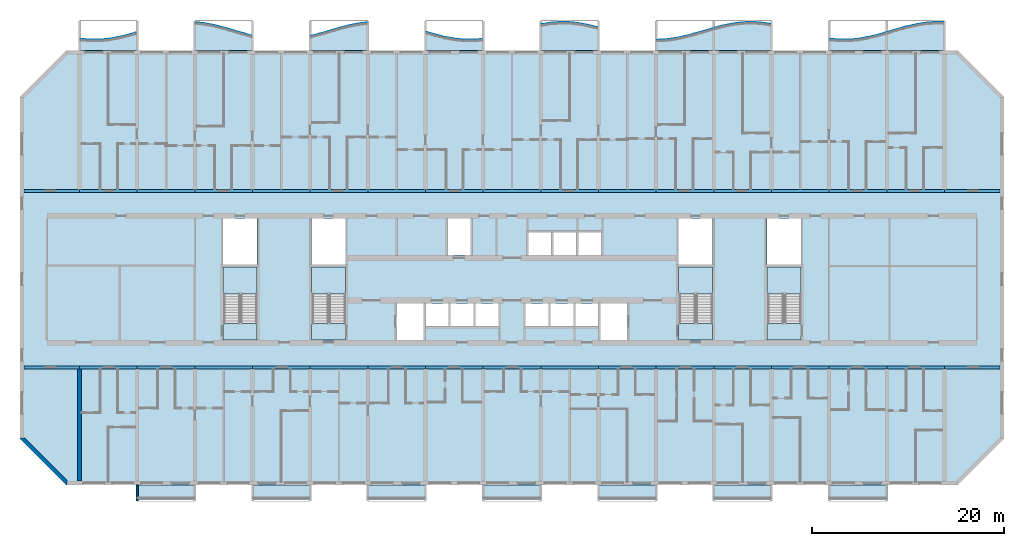
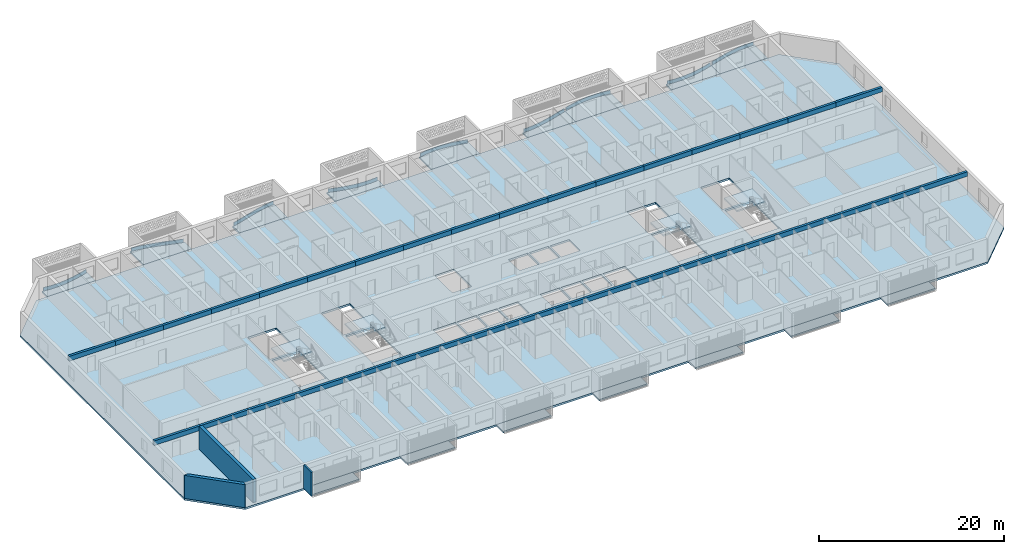
# One storey, part 1 of 38: 34 beams, 25 slabs, 9 plates, 3 walls, 4 elements without a shape of their own.
"""IFC4 building model written with IfcOpenShell, lengths in metres."""

from ifc_helpers import new_model, si_unit, direction, frame, frame_2d, origin, origin_2d, place, context, subcontext, project, spatial, polyline, rectangle, outline, extrude, source, transform, mapped, material, layer, layer_set, material_profile, profile_set, type_object, element, aggregate, save


model = new_model("IFC4")

# Units and contexts
model_context = context("Model", 3, precision=1e-05, world=origin(), true_north=direction((0.0, 1.0)))
body_context = subcontext(model_context, "Body", "Model", "MODEL_VIEW")
ifc_project = project(units=[si_unit("LENGTHUNIT", "METRE"), si_unit("AREAUNIT", "SQUARE_METRE"), si_unit("VOLUMEUNIT", "CUBIC_METRE"), si_unit("PLANEANGLEUNIT", "RADIAN"), si_unit("MASSUNIT", "GRAM", prefix="KILO")], contexts=[model_context])

# Site, building, storey
site_placement = place(None, origin())
site = spatial("IfcSite", under=ifc_project, at=site_placement, CompositionType="ELEMENT")
building_placement = place(site_placement, origin())
building = spatial("IfcBuilding", under=site, at=building_placement, Name="Poui Terraces", CompositionType="ELEMENT")
storey_placement = place(building_placement, frame((0.0, 0.0, 46.5)))
storey = spatial("IfcBuildingStorey", under=building, at=storey_placement, Name="L12", CompositionType="ELEMENT", Elevation=46.5)

# Beams
ifc_material_1 = material(Name="Concrete 80 MPa", Category="concrete")
ifc_material_profile = material_profile(ifc_material_1, rectangle(XDim=0.300048828125, YDim=0.60009765625, at=origin_2d()), Name="RC 300x600")
ifc_profile_set = profile_set([ifc_material_profile], Name="Concrete 80 MPa")
beam_type = type_object("IfcBeamType", Name="COUPLING BEAM 300x600 80MPa", PredefinedType="BEAM", material=ifc_profile_set)
shared_shape_1 = source(origin(), body_context, "Body", "SweptSolid", [
    extrude(rectangle(XDim=0.300048828125, YDim=0.60009765625, at=origin_2d()), origin(), (0.0, 0.0, 1.0), 6.0),
])
for number, where, z_axis, x_axis, name in (
    (1, (6.0, 12.0, 2.75), (1.0, 0.0, 0.0), (0.0, 1.0, 0.0), "COUPLING BEAM LINE B BAY 2"),
    (2, (12.0, 12.0, 2.75), (1.0, 0.0, 0.0), (0.0, 1.0, 0.0), "COUPLING BEAM LINE B BAY 3"),
    (3, (18.0, 12.0, 2.75), (1.0, 0.0, 0.0), (0.0, 1.0, 0.0), "COUPLING BEAM LINE B BAY 4"),
    (4, (24.0, 12.0, 2.75), (1.0, 0.0, 0.0), (0.0, 1.0, 0.0), "COUPLING BEAM LINE B BAY 5"),
    (5, (30.0, 12.0, 2.75), (1.0, 0.0, 0.0), (0.0, 1.0, 0.0), "COUPLING BEAM LINE B BAY 6"),
    (6, (36.0, 12.0, 2.75), (1.0, 0.0, 0.0), (0.0, 1.0, 0.0), "COUPLING BEAM LINE B BAY 7"),
    (7, (42.0, 12.0, 2.75), (1.0, 0.0, 0.0), (0.0, 1.0, 0.0), "COUPLING BEAM LINE B BAY 8"),
    (8, (48.0, 12.0, 2.75), (1.0, 0.0, 0.0), (0.0, 1.0, 0.0), "COUPLING BEAM LINE B BAY 9"),
    (9, (54.0, 12.0, 2.75), (1.0, 0.0, 0.0), (0.0, 1.0, 0.0), "COUPLING BEAM LINE B BAY 10"),
    (10, (60.0, 12.0, 2.75), (1.0, 0.0, 0.0), (0.0, 1.0, 0.0), "COUPLING BEAM LINE B BAY 11"),
    (11, (66.0, 12.0, 2.75), (1.0, 0.0, 0.0), (0.0, 1.0, 0.0), "COUPLING BEAM LINE B BAY 12"),
    (12, (72.0, 12.0, 2.75), (1.0, 0.0, 0.0), (0.0, 1.0, 0.0), "COUPLING BEAM LINE B BAY 13"),
    (13, (78.0, 12.0, 2.75), (1.0, 0.0, 0.0), (0.0, 1.0, 0.0), "COUPLING BEAM LINE B BAY 14"),
    (14, (84.0, 12.0, 2.75), (1.0, 0.0, 0.0), (0.0, 1.0, 0.0), "COUPLING BEAM LINE B BAY 15"),
    (15, (90.0, 12.0, 2.75), (1.0, 0.0, 0.0), (0.0, 1.0, 0.0), "COUPLING BEAM LINE B BAY 16"),
    (16, (6.0, 30.39990234375, 2.75), (1.0, 0.0, 0.0), (0.0, 1.0, 0.0), "COUPLING BEAM LINE E BAY 2"),
    (17, (12.0, 30.39990234375, 2.75), (1.0, 0.0, 0.0), (0.0, 1.0, 0.0), "COUPLING BEAM LINE E BAY 3"),
    (18, (18.0, 30.39990234375, 2.75), (1.0, 0.0, 0.0), (0.0, 1.0, 0.0), "COUPLING BEAM LINE E BAY 4"),
    (19, (24.0, 30.39990234375, 2.75), (1.0, 0.0, 0.0), (0.0, 1.0, 0.0), "COUPLING BEAM LINE E BAY 5"),
    (20, (30.0, 30.39990234375, 2.75), (1.0, 0.0, 0.0), (0.0, 1.0, 0.0), "COUPLING BEAM LINE E BAY 6"),
    (21, (36.0, 30.39990234375, 2.75), (1.0, 0.0, 0.0), (0.0, 1.0, 0.0), "COUPLING BEAM LINE E BAY 7"),
    (22, (42.0, 30.39990234375, 2.75), (1.0, 0.0, 0.0), (0.0, 1.0, 0.0), "COUPLING BEAM LINE E BAY 8"),
    (23, (48.0, 30.39990234375, 2.75), (1.0, 0.0, 0.0), (0.0, 1.0, 0.0), "COUPLING BEAM LINE E BAY 9"),
    (24, (54.0, 30.39990234375, 2.75), (1.0, 0.0, 0.0), (0.0, 1.0, 0.0), "COUPLING BEAM LINE E BAY 10"),
    (25, (60.0, 30.39990234375, 2.75), (1.0, 0.0, 0.0), (0.0, 1.0, 0.0), "COUPLING BEAM LINE E BAY 11"),
    (26, (66.0, 30.39990234375, 2.75), (1.0, 0.0, 0.0), (0.0, 1.0, 0.0), "COUPLING BEAM LINE E BAY 12"),
    (27, (72.0, 30.39990234375, 2.75), (1.0, 0.0, 0.0), (0.0, 1.0, 0.0), "COUPLING BEAM LINE E BAY 13"),
    (28, (78.0, 30.39990234375, 2.75), (1.0, 0.0, 0.0), (0.0, 1.0, 0.0), "COUPLING BEAM LINE E BAY 14"),
    (29, (84.0, 30.39990234375, 2.75), (1.0, 0.0, 0.0), (0.0, 1.0, 0.0), "COUPLING BEAM LINE E BAY 15"),
    (30, (90.0, 30.39990234375, 2.75), (1.0, 0.0, 0.0), (0.0, 1.0, 0.0), "COUPLING BEAM LINE E BAY 16"),
):
    element("IfcBeam", number, at=place(storey_placement, frame(where, z_axis=z_axis, x_axis=x_axis)), inside=storey, type_object=beam_type, Name=name, PredefinedType="BEAM", context=body_context, shape_type="MappedRepresentation", body=[
        mapped(shared_shape_1, transform((0.0, 0.0, 0.0))),
    ])
shared_shape_2 = source(origin(), body_context, "Body", "SweptSolid", [
    extrude(rectangle(XDim=0.300048828125, YDim=0.60009765625, at=origin_2d()), origin(), (0.0, 0.0, 1.0), 5.800048828125),
])
for number, where, z_axis, x_axis, name in (
    (31, (0.199951171875, 12.0, 2.75), (1.0, 0.0, 0.0), (0.0, 1.0, 0.0), "COUPLING BEAM LINE B BAY 1"),
    (32, (96.0, 12.0, 2.75), (1.0, 0.0, 0.0), (0.0, 1.0, 0.0), "COUPLING BEAM LINE B BAY 17"),
    (33, (0.199951171875, 30.39990234375, 2.75), (1.0, 0.0, 0.0), (0.0, 1.0, 0.0), "COUPLING BEAM LINE E BAY 1"),
    (34, (96.0, 30.39990234375, 2.75), (1.0, 0.0, 0.0), (0.0, 1.0, 0.0), "COUPLING BEAM LINE E BAY 17"),
):
    element("IfcBeam", number, at=place(storey_placement, frame(where, z_axis=z_axis, x_axis=x_axis)), inside=storey, type_object=beam_type, Name=name, PredefinedType="BEAM", context=body_context, shape_type="MappedRepresentation", body=[
        mapped(shared_shape_2, transform((0.0, 0.0, 0.0))),
    ])

# Slabs
ifc_material_2 = material(Name="Precast concrete 40 MPa", Category="concrete")
ifc_layer_1 = layer(ifc_material_2, 0.199951171875)
ifc_layer_set_1 = layer_set([ifc_layer_1], Name="Precast concrete 40 MPa")
slab_type_1 = type_object("IfcSlabType", Name="BALCONY SLAB 200", PredefinedType="FLOOR", material=ifc_layer_set_1)
slab_1_placement = place(storey_placement, frame((0.0, 0.0, -0.2001953125)))
element("IfcSlab", 35, at=slab_1_placement, inside=storey, type_object=slab_type_1, Name="BALCONY SLAB", PredefinedType="FLOOR", context=body_context, shape_type="SweptSolid", body=[
    extrude(outline(polyline([(6.0, 45.0), (12.0, 45.0), (12.0, 46.888916015625), (11.0, 46.606201171875), (10.0, 46.36669921875), (9.0, 46.194580078125), (8.0, 46.1083984375), (7.0, 46.1162109375), (6.0, 46.2177734375), (6.0, 45.0)])), origin(), (0.0, 0.0, 1.0), 0.2001953125),
])
slab_2_placement = place(storey_placement, frame((0.0, 0.0, -0.2001953125)))
element("IfcSlab", 36, at=slab_2_placement, inside=storey, type_object=slab_type_1, Name="BALCONY SLAB", PredefinedType="FLOOR", context=body_context, shape_type="SweptSolid", body=[
    extrude(outline(polyline([(18.0, 45.0), (24.0, 45.0), (24.0, 46.520263671875), (23.0, 46.79150390625), (22.0, 47.0869140625), (21.0, 47.376220703125), (20.0, 47.62890625), (19.0, 47.81982421875), (18.0, 47.9287109375), (18.0, 45.0)])), origin(), (0.0, 0.0, 1.0), 0.2001953125),
])
slab_3_placement = place(storey_placement, frame((0.0, 0.0, -0.2001953125)))
element("IfcSlab", 37, at=slab_3_placement, inside=storey, type_object=slab_type_1, Name="BALCONY SLAB", PredefinedType="FLOOR", context=body_context, shape_type="SweptSolid", body=[
    extrude(outline(polyline([(30.0, 45.0), (36.0, 45.0), (36.0, 47.9169921875), (35.0, 47.793212890625), (34.0, 47.590576171875), (33.0, 47.32958984375), (32.0, 47.037353515625), (31.0, 46.743896484375), (30.0, 46.479248046875), (30.0, 45.0)])), origin(), (0.0, 0.0, 1.0), 0.2001953125),
])
slab_4_placement = place(storey_placement, frame((0.0, 0.0, -0.2001953125)))
element("IfcSlab", 38, at=slab_4_placement, inside=storey, type_object=slab_type_1, Name="BALCONY SLAB", PredefinedType="FLOOR", context=body_context, shape_type="SweptSolid", body=[
    extrude(outline(polyline([(42.0, 45.0), (48.0, 45.0), (48.0, 46.194580078125), (47.0, 46.1083984375), (46.0, 46.1162109375), (45.0, 46.2177734375), (44.0, 46.40234375), (43.0, 46.65087890625), (42.0, 46.938232421875), (42.0, 45.0)])), origin(), (0.0, 0.0, 1.0), 0.2001953125),
])
slab_5_placement = place(storey_placement, frame((0.0, 0.0, -0.2001953125)))
element("IfcSlab", 39, at=slab_5_placement, inside=storey, type_object=slab_type_1, Name="BALCONY SLAB", PredefinedType="FLOOR", context=body_context, shape_type="SweptSolid", body=[
    extrude(outline(polyline([(54.0, 45.0), (60.0, 45.0), (60.0, 47.376220703125), (59.0, 47.62890625), (58.0, 47.81982421875), (57.0, 47.9287109375), (56.0, 47.944580078125), (55.0, 47.865966796875), (54.0, 47.70068359375), (54.0, 45.0)])), origin(), (0.0, 0.0, 1.0), 0.2001953125),
])
slab_6_placement = place(storey_placement, frame((0.0, 0.0, -0.2001953125)))
element("IfcSlab", 40, at=slab_6_placement, inside=storey, type_object=slab_type_1, Name="BALCONY SLAB", PredefinedType="FLOOR", context=body_context, shape_type="SweptSolid", body=[
    extrude(outline(polyline([(66.0, 45.0), (72.0, 45.0), (72.0, 47.32958984375), (71.0, 47.037353515625), (70.0, 46.743896484375), (69.0, 46.479248046875), (68.0, 46.27099609375), (67.0, 46.14013671875), (66.0, 46.100341796875), (66.0, 45.0)])), origin(), (0.0, 0.0, 1.0), 0.2001953125),
])
slab_7_placement = place(storey_placement, frame((0.0, 0.0, -0.2001953125)))
element("IfcSlab", 41, at=slab_7_placement, inside=storey, type_object=slab_type_1, Name="BALCONY SLAB", PredefinedType="FLOOR", context=body_context, shape_type="SweptSolid", body=[
    extrude(outline(polyline([(72.0, 45.0), (78.0, 45.0), (78.0, 47.733642578125), (77.0, 47.885498046875), (76.0, 47.94873046875), (75.0, 47.9169921875), (74.0, 47.793212890625), (73.0, 47.590576171875), (72.0, 47.32958984375), (72.0, 45.0)])), origin(), (0.0, 0.0, 1.0), 0.2001953125),
])
slab_8_placement = place(storey_placement, frame((0.0, 0.0, -0.2001953125)))
element("IfcSlab", 42, at=slab_8_placement, inside=storey, type_object=slab_type_1, Name="BALCONY SLAB", PredefinedType="FLOOR", context=body_context, shape_type="SweptSolid", body=[
    extrude(outline(polyline([(84.0, 45.0), (90.0, 45.0), (90.0, 46.888916015625), (89.0, 46.606201171875), (88.0, 46.36669921875), (87.0, 46.194580078125), (86.0, 46.1083984375), (85.0, 46.1162109375), (84.0, 46.2177734375), (84.0, 45.0)])), origin(), (0.0, 0.0, 1.0), 0.2001953125),
])
slab_9_placement = place(storey_placement, frame((0.0, 0.0, -0.2001953125)))
element("IfcSlab", 43, at=slab_9_placement, inside=storey, type_object=slab_type_1, Name="BALCONY SLAB", PredefinedType="FLOOR", context=body_context, shape_type="SweptSolid", body=[
    extrude(outline(polyline([(90.0, 45.0), (96.0, 45.0), (96.0, 47.9287109375), (95.0, 47.944580078125), (94.0, 47.865966796875), (93.0, 47.70068359375), (92.0, 47.4658203125), (91.0, 47.185546875), (90.0, 46.888916015625), (90.0, 45.0)])), origin(), (0.0, 0.0, 1.0), 0.2001953125),
])

# Stair, slabs
stair_type = type_object("IfcStairType", Name="EXIT STAIR 1650 80 MPA", PredefinedType="HALF_TURN_STAIR", material=ifc_material_1)
stair_1_placement = place(storey_placement, origin())
stair_1 = element("IfcStair", 44, at=stair_1_placement, inside=storey, type_object=stair_type, Name="L12 CORE STAIR EAST", PredefinedType="HALF_TURN_STAIR")
ifc_layer_2 = layer(ifc_material_1, 0.199951171875)
ifc_layer_set_2 = layer_set([ifc_layer_2], Name="Concrete 80 MPa")
slab_type_2 = type_object("IfcSlabType", Name="STAIR LANDING 200 80 MPA", PredefinedType="LANDING", material=ifc_layer_set_2)
slab_10_placement = place(storey_placement, frame((0.0, 0.0, 1.449951171875)))
slab_10 = element("IfcSlab", 45, at=slab_10_placement, type_object=slab_type_2, Name="ST-CE landing 1", PredefinedType="LANDING", context=body_context, shape_type="SweptSolid", body=[
    extrude(outline(polyline([(68.324951171875, 19.679931640625), (71.875, 19.679931640625), (71.875, 22.47509765625), (68.324951171875, 22.47509765625), (68.324951171875, 19.679931640625)])), origin(), (0.0, 0.0, 1.0), 0.199951171875),
])
slab_11_placement = place(storey_placement, frame((0.0, 0.0, -0.2001953125)))
slab_11 = element("IfcSlab", 46, at=slab_11_placement, type_object=slab_type_2, Name="ST-CE landing 2", PredefinedType="LANDING", context=body_context, shape_type="SweptSolid", body=[
    extrude(outline(polyline([(68.324951171875, 14.89990234375), (71.875, 14.89990234375), (71.875, 16.60009765625), (68.324951171875, 16.60009765625), (68.324951171875, 14.89990234375)])), origin(), (0.0, 0.0, 1.0), 0.2001953125),
])
aggregate(stair_1, [slab_10, slab_11])

stair_2_placement = place(storey_placement, origin())
stair_2 = element("IfcStair", 47, at=stair_2_placement, inside=storey, type_object=stair_type, Name="L12 CORE STAIR WEST", PredefinedType="HALF_TURN_STAIR")
slab_12_placement = place(storey_placement, frame((0.0, 0.0, 1.449951171875)))
slab_12 = element("IfcSlab", 48, at=slab_12_placement, type_object=slab_type_2, Name="ST-CW landing 1", PredefinedType="LANDING", context=body_context, shape_type="SweptSolid", body=[
    extrude(outline(polyline([(30.125, 19.679931640625), (33.675048828125, 19.679931640625), (33.675048828125, 22.47509765625), (30.125, 22.47509765625), (30.125, 19.679931640625)])), origin(), (0.0, 0.0, 1.0), 0.199951171875),
])
slab_13_placement = place(storey_placement, frame((0.0, 0.0, -0.2001953125)))
slab_13 = element("IfcSlab", 49, at=slab_13_placement, type_object=slab_type_2, Name="ST-CW landing 2", PredefinedType="LANDING", context=body_context, shape_type="SweptSolid", body=[
    extrude(outline(polyline([(30.125, 14.89990234375), (33.675048828125, 14.89990234375), (33.675048828125, 16.60009765625), (30.125, 16.60009765625), (30.125, 14.89990234375)])), origin(), (0.0, 0.0, 1.0), 0.2001953125),
])
aggregate(stair_2, [slab_12, slab_13])

stair_3_placement = place(storey_placement, origin())
stair_3 = element("IfcStair", 50, at=stair_3_placement, inside=storey, type_object=stair_type, Name="L12 TIP STAIR EAST", PredefinedType="HALF_TURN_STAIR")
slab_14_placement = place(storey_placement, frame((0.0, 0.0, 1.449951171875)))
slab_14 = element("IfcSlab", 51, at=slab_14_placement, type_object=slab_type_2, Name="ST-E landing 1", PredefinedType="LANDING", context=body_context, shape_type="SweptSolid", body=[
    extrude(outline(polyline([(77.52490234375, 19.679931640625), (81.074951171875, 19.679931640625), (81.074951171875, 22.47509765625), (77.52490234375, 22.47509765625), (77.52490234375, 19.679931640625)])), origin(), (0.0, 0.0, 1.0), 0.199951171875),
])
slab_15_placement = place(storey_placement, frame((0.0, 0.0, -0.2001953125)))
slab_15 = element("IfcSlab", 52, at=slab_15_placement, type_object=slab_type_2, Name="ST-E landing 2", PredefinedType="LANDING", context=body_context, shape_type="SweptSolid", body=[
    extrude(outline(polyline([(77.52490234375, 14.89990234375), (81.074951171875, 14.89990234375), (81.074951171875, 16.60009765625), (77.52490234375, 16.60009765625), (77.52490234375, 14.89990234375)])), origin(), (0.0, 0.0, 1.0), 0.2001953125),
])
aggregate(stair_3, [slab_14, slab_15])

stair_4_placement = place(storey_placement, origin())
stair_4 = element("IfcStair", 53, at=stair_4_placement, inside=storey, type_object=stair_type, Name="L12 TIP STAIR WEST", PredefinedType="HALF_TURN_STAIR")
slab_16_placement = place(storey_placement, frame((0.0, 0.0, 1.449951171875)))
slab_16 = element("IfcSlab", 54, at=slab_16_placement, type_object=slab_type_2, Name="ST-W landing 1", PredefinedType="LANDING", context=body_context, shape_type="SweptSolid", body=[
    extrude(outline(polyline([(20.925048828125, 19.679931640625), (24.47509765625, 19.679931640625), (24.47509765625, 22.47509765625), (20.925048828125, 22.47509765625), (20.925048828125, 19.679931640625)])), origin(), (0.0, 0.0, 1.0), 0.199951171875),
])
slab_17_placement = place(storey_placement, frame((0.0, 0.0, -0.2001953125)))
slab_17 = element("IfcSlab", 55, at=slab_17_placement, type_object=slab_type_2, Name="ST-W landing 2", PredefinedType="LANDING", context=body_context, shape_type="SweptSolid", body=[
    extrude(outline(polyline([(20.925048828125, 14.89990234375), (24.47509765625, 14.89990234375), (24.47509765625, 16.60009765625), (20.925048828125, 16.60009765625), (20.925048828125, 14.89990234375)])), origin(), (0.0, 0.0, 1.0), 0.2001953125),
])
aggregate(stair_4, [slab_16, slab_17])

# Plates
ifc_layer_3 = layer(ifc_material_2, 0.080078125)
ifc_layer_set_3 = layer_set([ifc_layer_3], Name="Precast concrete 40 MPa")
plate_type = type_object("IfcPlateType", Name="SUNSHADE UPSTAND 80", PredefinedType="SHEET", material=ifc_layer_set_3)
plate_1_placement = place(storey_placement, origin())
element("IfcPlate", 56, at=plate_1_placement, inside=storey, type_object=plate_type, Name="SUNSHADE UPSTAND", PredefinedType="SHEET", context=body_context, shape_type="SweptSolid", body=[
    extrude(outline(polyline([(7.002197265625, 46.111328125), (6.12890625, 46.195068359375), (6.12109375, 46.115478515625), (6.997802734375, 46.03125), (8.001708984375, 46.023193359375), (9.005126953125, 46.110107421875), (10.008056640625, 46.2822265625), (11.010009765625, 46.5224609375), (11.8857421875, 46.768798828125), (11.8642578125, 46.845703125), (10.989990234375, 46.599853515625), (9.991943359375, 46.36083984375), (8.994873046875, 46.189453125), (7.998291015625, 46.103271484375), (7.002197265625, 46.111328125)])), origin(), (0.0, 0.0, 1.0), 0.449951171875),
])
plate_2_placement = place(storey_placement, origin())
element("IfcPlate", 57, at=plate_2_placement, inside=storey, type_object=plate_type, Name="SUNSHADE UPSTAND", PredefinedType="SHEET", context=body_context, shape_type="SweptSolid", body=[
    extrude(outline(polyline([(19.006103515625, 47.814453125), (18.161865234375, 47.9111328125), (18.12939453125, 47.91455078125), (18.120361328125, 47.835205078125), (18.993896484375, 47.735107421875), (19.9912109375, 47.544921875), (20.989501953125, 47.29248046875), (21.98876953125, 47.003662109375), (22.989013671875, 46.7080078125), (23.864501953125, 46.46826171875), (23.885498046875, 46.54541015625), (23.010986328125, 46.78515625), (22.01123046875, 47.080322265625), (21.010498046875, 47.36962890625), (20.0087890625, 47.623046875), (19.006103515625, 47.814453125)])), origin(), (0.0, 0.0, 1.0), 0.449951171875),
])
plate_3_placement = place(storey_placement, origin())
element("IfcPlate", 58, at=plate_3_placement, inside=storey, type_object=plate_type, Name="SUNSHADE UPSTAND", PredefinedType="SHEET", context=body_context, shape_type="SweptSolid", body=[
    extrude(outline(polyline([(30.9892578125, 46.7373046875), (30.11474609375, 46.50341796875), (30.13525390625, 46.42626953125), (31.0107421875, 46.660400390625), (32.01123046875, 46.9541015625), (33.0107421875, 47.24609375), (34.009033203125, 47.506591796875), (35.006591796875, 47.708740234375), (35.880126953125, 47.821533203125), (35.869873046875, 47.90087890625), (35.8427734375, 47.8974609375), (34.993408203125, 47.78759765625), (33.990966796875, 47.58447265625), (32.9892578125, 47.3232421875), (31.98876953125, 47.03076171875), (30.9892578125, 46.7373046875)])), origin(), (0.0, 0.0, 1.0), 0.449951171875),
])
plate_4_placement = place(storey_placement, origin())
element("IfcPlate", 59, at=plate_4_placement, inside=storey, type_object=plate_type, Name="SUNSHADE UPSTAND", PredefinedType="SHEET", context=body_context, shape_type="SweptSolid", body=[
    extrude(outline(polyline([(43.01025390625, 46.644775390625), (42.135986328125, 46.89453125), (42.114013671875, 46.817626953125), (42.98974609375, 46.5673828125), (43.991455078125, 46.318359375), (44.994384765625, 46.13330078125), (45.997802734375, 46.03125), (47.00146484375, 46.023193359375), (47.878173828125, 46.093994140625), (47.871826171875, 46.173828125), (46.99853515625, 46.103271484375), (46.002197265625, 46.111328125), (45.005615234375, 46.21240234375), (44.008544921875, 46.396484375), (43.01025390625, 46.644775390625)])), origin(), (0.0, 0.0, 1.0), 0.449951171875),
])
plate_5_placement = place(storey_placement, origin())
element("IfcPlate", 60, at=plate_5_placement, inside=storey, type_object=plate_type, Name="SUNSHADE UPSTAND", PredefinedType="SHEET", context=body_context, shape_type="SweptSolid", body=[
    extrude(outline(polyline([(54.995361328125, 47.860595703125), (54.11865234375, 47.719970703125), (54.13134765625, 47.64111328125), (55.004638671875, 47.78125), (56.001220703125, 47.859619140625), (56.99755859375, 47.84375), (57.994140625, 47.735107421875), (58.991455078125, 47.544921875), (59.865234375, 47.326416015625), (59.884765625, 47.404052734375), (59.008544921875, 47.623046875), (58.005859375, 47.814453125), (57.00244140625, 47.923583984375), (55.998779296875, 47.939697265625), (54.995361328125, 47.860595703125)])), origin(), (0.0, 0.0, 1.0), 0.449951171875),
])
plate_6_placement = place(storey_placement, origin())
element("IfcPlate", 61, at=plate_6_placement, inside=storey, type_object=plate_type, Name="SUNSHADE UPSTAND", PredefinedType="SHEET", context=body_context, shape_type="SweptSolid", body=[
    extrude(outline(polyline([(66.99658203125, 46.135009765625), (66.123291015625, 46.094970703125), (66.126708984375, 46.01513671875), (67.00341796875, 46.05517578125), (68.006591796875, 46.186279296875), (69.00927734375, 46.395263671875), (70.0107421875, 46.660400390625), (71.01123046875, 46.9541015625), (71.88623046875, 47.2109375), (71.86376953125, 47.28759765625), (70.98876953125, 47.03076171875), (69.9892578125, 46.7373046875), (68.99072265625, 46.47314453125), (67.993408203125, 46.265380859375), (66.99658203125, 46.135009765625)])), origin(), (0.0, 0.0, 1.0), 0.449951171875),
])
plate_7_placement = place(storey_placement, origin())
element("IfcPlate", 62, at=plate_7_placement, inside=storey, type_object=plate_type, Name="SUNSHADE UPSTAND", PredefinedType="SHEET", context=body_context, shape_type="SweptSolid", body=[
    extrude(outline(polyline([(72.990966796875, 47.584716796875), (72.114990234375, 47.3583984375), (72.135009765625, 47.281005859375), (73.009033203125, 47.506591796875), (74.00634765625, 47.708740234375), (75.003173828125, 47.831787109375), (75.99951171875, 47.863525390625), (76.995849609375, 47.800537109375), (77.869140625, 47.67236328125), (77.880859375, 47.75146484375), (77.004150390625, 47.880126953125), (76.00048828125, 47.943603515625), (74.996826171875, 47.911865234375), (73.99365234375, 47.787841796875), (72.990966796875, 47.584716796875)])), origin(), (0.0, 0.0, 1.0), 0.449951171875),
])
plate_8_placement = place(storey_placement, origin())
element("IfcPlate", 63, at=plate_8_placement, inside=storey, type_object=plate_type, Name="SUNSHADE UPSTAND", PredefinedType="SHEET", context=body_context, shape_type="SweptSolid", body=[
    extrude(outline(polyline([(85.002197265625, 46.111328125), (84.12890625, 46.195068359375), (84.12109375, 46.115478515625), (84.997802734375, 46.03125), (86.001708984375, 46.023193359375), (87.005126953125, 46.110107421875), (88.008056640625, 46.2822265625), (89.010009765625, 46.5224609375), (89.8857421875, 46.768798828125), (89.8642578125, 46.845703125), (88.989990234375, 46.599853515625), (87.991943359375, 46.36083984375), (86.994873046875, 46.189453125), (85.998291015625, 46.103271484375), (85.002197265625, 46.111328125)])), origin(), (0.0, 0.0, 1.0), 0.449951171875),
])
plate_9_placement = place(storey_placement, origin())
element("IfcPlate", 64, at=plate_9_placement, inside=storey, type_object=plate_type, Name="SUNSHADE UPSTAND", PredefinedType="SHEET", context=body_context, shape_type="SweptSolid", body=[
    extrude(outline(polyline([(90.989013671875, 47.17919921875), (90.113525390625, 46.919189453125), (90.136474609375, 46.842529296875), (91.010986328125, 47.102294921875), (92.010009765625, 47.382080078125), (93.0078125, 47.616455078125), (94.0048828125, 47.78125), (95.00146484375, 47.859619140625), (95.87451171875, 47.850830078125), (95.87548828125, 47.9306640625), (95.83837890625, 47.931396484375), (94.99853515625, 47.939697265625), (93.9951171875, 47.860595703125), (92.9921875, 47.69482421875), (91.989990234375, 47.459716796875), (90.989013671875, 47.17919921875)])), origin(), (0.0, 0.0, 1.0), 0.449951171875),
])

# Slabs
ifc_material_3 = material(Name="Concrete 40 MPa", Category="concrete")
ifc_layer_4 = layer(ifc_material_3, 0.25)
ifc_layer_set_4 = layer_set([ifc_layer_4], Name="Concrete 40 MPa")
slab_type_3 = type_object("IfcSlabType", Name="FLOOR SLAB 250", PredefinedType="FLOOR", material=ifc_layer_set_4)
shared_shape_3 = source(origin(), body_context, "Body", "SweptSolid", [
    extrude(outline(polyline([(0.0, 0.0), (4.800048828125, -4.800048828125), (97.599853515625, -4.800048828125), (102.39990234375, 0.0), (102.39990234375, 35.599853515625), (97.599853515625, 40.39990234375), (4.800048828125, 40.39990234375), (0.0, 35.599853515625), (0.0, 0.0)]), holes=[polyline([(39.199951171875, 10.2998046875), (39.199951171875, 14.099853515625), (42.0, 14.099853515625), (42.0, 10.2998046875), (39.199951171875, 10.2998046875)]), polyline([(42.199951171875, 11.699951171875), (42.199951171875, 14.099853515625), (44.599853515625, 14.099853515625), (44.599853515625, 11.699951171875), (42.199951171875, 11.699951171875)]), polyline([(44.800048828125, 11.699951171875), (44.800048828125, 14.099853515625), (47.199951171875, 14.099853515625), (47.199951171875, 11.699951171875), (44.800048828125, 11.699951171875)]), polyline([(47.39990234375, 14.099853515625), (49.800048828125, 14.099853515625), (49.800048828125, 11.699951171875), (47.39990234375, 11.699951171875), (47.39990234375, 14.099853515625)]), polyline([(52.599853515625, 14.099853515625), (55.0, 14.099853515625), (55.0, 11.699951171875), (52.599853515625, 11.699951171875), (52.599853515625, 14.099853515625)]), polyline([(21.224853515625, 17.849853515625), (24.675048828125, 17.849853515625), (24.675048828125, 12.0), (24.675048828125, 10.2998046875), (21.125, 10.2998046875), (21.125, 12.0), (21.224853515625, 12.0), (21.224853515625, 17.849853515625)]), polyline([(30.425048828125, 17.849853515625), (33.875, 17.849853515625), (33.875, 12.0), (33.875, 10.2998046875), (30.324951171875, 10.2998046875), (30.324951171875, 12.0), (30.425048828125, 12.0), (30.425048828125, 17.849853515625)]), polyline([(21.125, 18.125), (21.125, 22.89990234375), (24.675048828125, 22.89990234375), (24.675048828125, 18.125), (21.125, 18.125)]), polyline([(30.324951171875, 22.89990234375), (33.875, 22.89990234375), (33.875, 18.125), (30.324951171875, 18.125), (30.324951171875, 22.89990234375)]), polyline([(44.5, 22.89990234375), (46.89990234375, 22.89990234375), (46.89990234375, 19.099853515625), (44.5, 19.099853515625), (44.5, 22.89990234375)]), polyline([(60.39990234375, 10.2998046875), (60.39990234375, 14.099853515625), (63.199951171875, 14.099853515625), (63.199951171875, 10.2998046875), (60.39990234375, 10.2998046875)]), polyline([(55.199951171875, 11.699951171875), (55.199951171875, 14.099853515625), (57.599853515625, 14.099853515625), (57.599853515625, 11.699951171875), (55.199951171875, 11.699951171875)]), polyline([(57.800048828125, 11.699951171875), (57.800048828125, 14.099853515625), (60.199951171875, 14.099853515625), (60.199951171875, 11.699951171875), (57.800048828125, 11.699951171875)]), polyline([(72.074951171875, 17.849853515625), (72.074951171875, 12.0), (72.074951171875, 10.2998046875), (68.52490234375, 10.2998046875), (68.52490234375, 12.0), (68.625, 12.0), (68.625, 17.849853515625), (72.074951171875, 17.849853515625)]), polyline([(81.27490234375, 17.849853515625), (81.27490234375, 12.0), (81.27490234375, 10.2998046875), (77.724853515625, 10.2998046875), (77.724853515625, 12.0), (77.824951171875, 12.0), (77.824951171875, 17.849853515625), (81.27490234375, 17.849853515625)]), polyline([(52.89990234375, 19.099853515625), (52.89990234375, 21.5), (55.300048828125, 21.5), (55.300048828125, 19.099853515625), (52.89990234375, 19.099853515625)]), polyline([(55.5, 19.099853515625), (55.5, 21.5), (57.89990234375, 21.5), (57.89990234375, 19.099853515625), (55.5, 19.099853515625)]), polyline([(58.099853515625, 19.099853515625), (58.099853515625, 21.5), (60.5, 21.5), (60.5, 19.099853515625), (58.099853515625, 19.099853515625)]), polyline([(68.52490234375, 22.89990234375), (72.074951171875, 22.89990234375), (72.074951171875, 18.125), (68.52490234375, 18.125), (68.52490234375, 22.89990234375)]), polyline([(77.724853515625, 22.89990234375), (81.27490234375, 22.89990234375), (81.27490234375, 18.125), (77.724853515625, 18.125), (77.724853515625, 22.89990234375)])]), origin(), (0.0, 0.0, 1.0), 0.25),
])
slab_18_placement = place(storey_placement, frame((-0.199951171875, 4.60009765625, -0.25)))
element("IfcSlab", 65, at=slab_18_placement, inside=storey, type_object=slab_type_3, Name="FLOOR SLAB", PredefinedType="FLOOR", context=body_context, shape_type="MappedRepresentation", body=[
    mapped(shared_shape_3, transform((0.0, 0.0, 0.0))),
])
ifc_layer_5 = layer(ifc_material_2, 0.199951171875)
ifc_layer_set_5 = layer_set([ifc_layer_5], Name="Precast concrete 40 MPa")
slab_type_4 = type_object("IfcSlabType", Name="REAR BALCONY SLAB 200", PredefinedType="FLOOR", material=ifc_layer_set_5)
shared_shape_4 = source(origin(), body_context, "Body", "SweptSolid", [
    extrude(outline(polyline([(0.0, 0.0), (6.0, 0.0), (6.0, 1.5), (0.0, 1.5), (0.0, 0.0)])), origin(), (0.0, 0.0, 1.0), 0.2001953125),
])
for number, where, name in (
    (66, (12.0, -1.699951171875, -0.2001953125), "REAR BALCONY SLAB"),
    (67, (24.0, -1.699951171875, -0.2001953125), "REAR BALCONY SLAB"),
    (68, (36.0, -1.699951171875, -0.2001953125), "REAR BALCONY SLAB"),
    (69, (48.0, -1.699951171875, -0.2001953125), "REAR BALCONY SLAB"),
    (70, (60.0, -1.699951171875, -0.2001953125), "REAR BALCONY SLAB"),
    (71, (72.0, -1.699951171875, -0.2001953125), "REAR BALCONY SLAB"),
    (72, (84.0, -1.699951171875, -0.2001953125), "REAR BALCONY SLAB"),
):
    element("IfcSlab", number, at=place(storey_placement, frame(where)), inside=storey, type_object=slab_type_4, Name=name, PredefinedType="FLOOR", context=body_context, shape_type="MappedRepresentation", body=[
        mapped(shared_shape_4, transform((0.0, 0.0, 0.0))),
    ])

# Walls
ifc_layer_6 = layer(ifc_material_1, 0.39990234375)
ifc_layer_set_6 = layer_set([ifc_layer_6], Name="Concrete 80 MPa")
wall_type_1 = type_object("IfcWallType", Name="CROSS WALL 400 80MPa", PredefinedType="SHEAR", material=ifc_layer_set_6)
wall_1_placement = place(storey_placement, frame((6.0, 0.199951171875, 0.0), z_axis=(0.0, 0.0, 1.0), x_axis=(0.0, 1.0, 0.0)))
element("IfcWall", 73, at=wall_1_placement, inside=storey, type_object=wall_type_1, Name="CROSS WALL LINE 2 SOUTH", PredefinedType="SHEAR", context=body_context, shape_type="SweptSolid", body=[
    extrude(rectangle(XDim=11.650146484375, YDim=0.39990234375, at=frame_2d((5.8251953125, 0.0))), origin(), (0.0, 0.0, 1.0), 3.050048828125),
])
ifc_layer_7 = layer(ifc_material_2, 0.39990234375)
ifc_layer_set_7 = layer_set([ifc_layer_7], Name="Precast concrete 40 MPa")
wall_type_2 = type_object("IfcWallType", Name="TERRACOTTA CLAD CHAMFER WALL 400", PredefinedType="STANDARD", material=ifc_layer_set_7)
wall_2_placement = place(storey_placement, origin())
element("IfcWall", 74, at=wall_2_placement, inside=storey, type_object=wall_type_2, Name="CHAMFER WALL CH07", PredefinedType="STANDARD", context=body_context, shape_type="SweptSolid", body=[
    extrude(outline(polyline([(-0.199951171875, 4.682861328125), (-0.199951171875, 4.60009765625), (4.60009765625, -0.199951171875), (4.682861328125, -0.199951171875), (4.682861328125, 0.28271484375), (0.28271484375, 4.682861328125), (-0.199951171875, 4.682861328125)])), origin(), (0.0, 0.0, 1.0), 3.050048828125),
])
ifc_layer_8 = layer(ifc_material_2, 0.199951171875)
ifc_layer_set_8 = layer_set([ifc_layer_8], Name="Precast concrete 40 MPa")
wall_type_3 = type_object("IfcWallType", Name="REAR FIN 200", PredefinedType="STANDARD", material=ifc_layer_set_8)
shared_shape_5 = source(origin(), body_context, "Body", "SweptSolid", [
    extrude(outline(polyline([(0.0, 0.0), (0.2001953125, 0.0), (0.2001953125, 1.650146484375), (0.0, 1.650146484375), (0.0, 0.0)])), origin(), (0.0, 0.0, 1.0), 3.10009765625),
])
wall_3_placement = place(storey_placement, frame((11.89990234375, -1.85009765625, 0.0)))
element("IfcWall", 75, at=wall_3_placement, inside=storey, type_object=wall_type_3, Name="REAR FIN", PredefinedType="STANDARD", context=body_context, shape_type="MappedRepresentation", body=[
    mapped(shared_shape_5, transform((0.0, 0.0, 0.0))),
])

save(model, "model.ifc")
